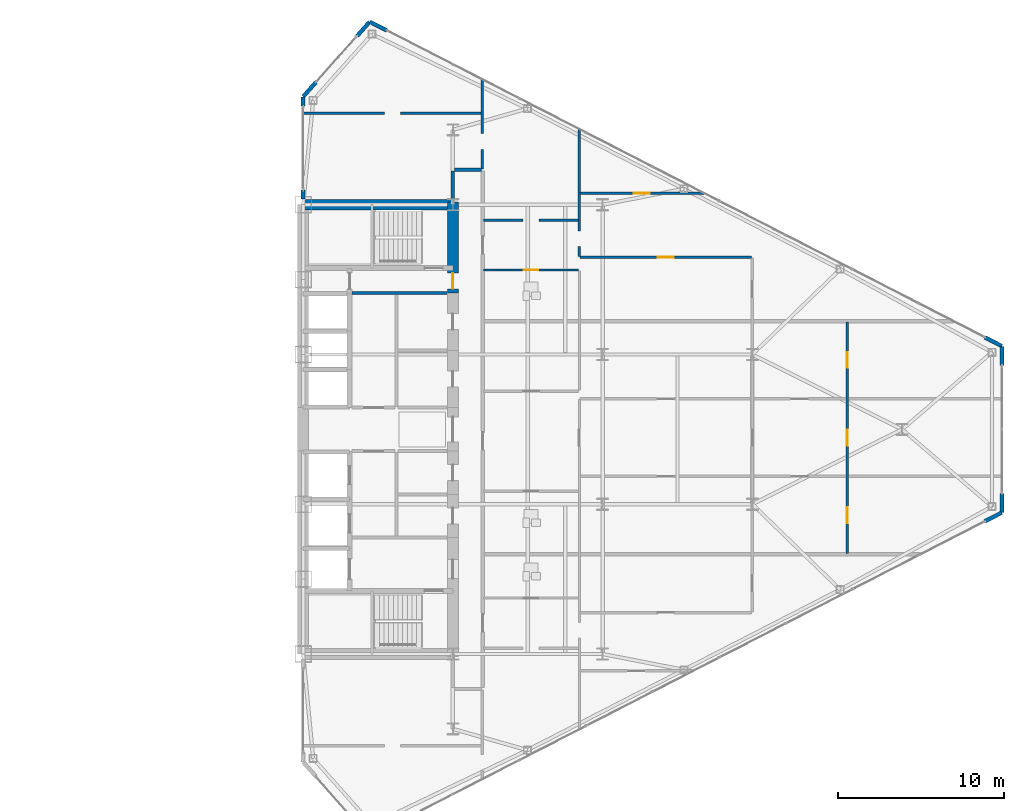
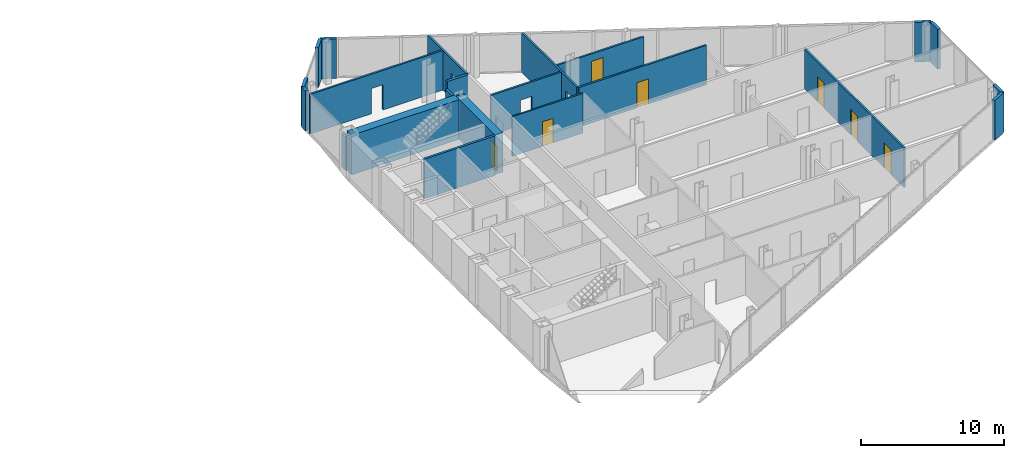
# One storey, part 21 of 24: 22 walls, 7 doors, 11 openings.
"""IFC4 building model written with IfcOpenShell, lengths in metres."""

import ifcopenshell
import ifcopenshell.guid

model = None  # the IFC model being written
_history = None  # IfcOwnerHistory: only IFC2X3 demands one
_inside = {}  # id of a spatial element -> (the spatial element, [elements in it])
_under = {}  # id of a project, library or spatial element -> (it, [spatial elements below it])
_declared = {}  # id of a project -> (the project, [libraries it declares])
_typed = {}  # id of a type object -> (the type object, [elements of that type])
_made_of = {}  # id of a material, layer set ... -> (it, [elements and type objects made of it])


def new_model(schema):
    """Start an empty IFC model of exactly this schema.

    Asked for "IFC4X3", IfcOpenShell would pick the latest addendum, in which some entities
    have other attributes; the version numbers below select the first issue.
    IFC2X3 requires an IfcOwnerHistory on every rooted entity: one is made here for all.
    """
    global model, _history
    if schema == "IFC4X3":
        model = ifcopenshell.file(schema_version=(4, 3, 0, 0))
    else:
        model = ifcopenshell.file(schema=schema)
    _inside.clear()
    _under.clear()
    _declared.clear()
    _typed.clear()
    _made_of.clear()
    _history = None
    if model.schema == "IFC2X3":
        org = make("IfcOrganization", Name="unknown")
        user = make(
            "IfcPersonAndOrganization",
            ThePerson=make("IfcPerson", FamilyName="unknown"),
            TheOrganization=org,
        )
        app = make(
            "IfcApplication",
            ApplicationDeveloper=org,
            Version="unknown",
            ApplicationFullName="unknown",
            ApplicationIdentifier="unknown",
        )
        _history = make(
            "IfcOwnerHistory",
            OwningUser=user,
            OwningApplication=app,
            ChangeAction="ADDED",
            CreationDate=0,
        )
    return model


def make(cls, **values):
    """One entity of the class cls with the attributes given. An attribute that is None is left unset."""
    return model.create_entity(
        cls, **{name: value for name, value in values.items() if value is not None}
    )


def rooted(cls, **values):
    """An entity with a GlobalId (a new one), such as an element, a storey or a relation."""
    return make(cls, GlobalId=ifcopenshell.guid.new(), OwnerHistory=_history, **values)


def si_unit(unit_type, name, prefix=None):
    """IfcSIUnit, for example si_unit("LENGTHUNIT", "METRE", prefix="MILLI")."""
    return make("IfcSIUnit", UnitType=unit_type, Prefix=prefix, Name=name)


def assignment(units):
    """IfcUnitAssignment: the units of a project."""
    return None if units is None else make("IfcUnitAssignment", Units=units)


def point(xyz):
    """IfcCartesianPoint."""
    return None if xyz is None else make("IfcCartesianPoint", Coordinates=xyz)


def direction(xyz):
    """IfcDirection."""
    return None if xyz is None else make("IfcDirection", DirectionRatios=xyz)


def frame(location, z_axis=None, x_axis=None):
    """IfcAxis2Placement3D, a coordinate frame: its origin and axes. An axis left out is left unset."""
    return make(
        "IfcAxis2Placement3D",
        Location=point(location),
        Axis=direction(z_axis),
        RefDirection=direction(x_axis),
    )


def frame_2d(location, x_axis=None):
    """IfcAxis2Placement2D, a coordinate frame in the plane: its origin and x axis."""
    return make(
        "IfcAxis2Placement2D", Location=point(location), RefDirection=direction(x_axis)
    )


def origin():
    """The frame at (0, 0, 0) with its axes left unset."""
    return frame((0.0, 0.0, 0.0))


def place(relative_to, where):
    """IfcLocalPlacement: puts the frame where relative to a parent placement (None: the world)."""
    return make(
        "IfcLocalPlacement", PlacementRelTo=relative_to, RelativePlacement=where
    )


def context(
    kind, dimensions, precision=None, world=None, true_north=None, identifier=None
):
    """IfcGeometricRepresentationContext, for example the 3D "Model" context."""
    return make(
        "IfcGeometricRepresentationContext",
        ContextIdentifier=identifier,
        ContextType=kind,
        CoordinateSpaceDimension=dimensions,
        Precision=precision,
        WorldCoordinateSystem=world,
        TrueNorth=true_north,
    )


def subcontext(parent, identifier, kind, view, scale=None):
    """IfcGeometricRepresentationSubContext, for example "Body" below "Model"."""
    return make(
        "IfcGeometricRepresentationSubContext",
        ContextIdentifier=identifier,
        ContextType=kind,
        ParentContext=parent,
        TargetScale=scale,
        TargetView=view,
    )


def project(units=None, contexts=None):
    """IfcProject with its units and contexts."""
    return rooted(
        "IfcProject",
        Name="project",
        RepresentationContexts=contexts,
        UnitsInContext=assignment(units),
    )


def spatial(cls, under=None, at=None, **own):
    """A site, building, storey or space (cls), placed at a placement, below another one or the project."""
    s = rooted(cls, ObjectPlacement=at, **own)
    if under is not None:
        _under.setdefault(under.id(), (under, []))[1].append(s)
    return s


def profile(cls, at=None, kind="AREA", **sizes):
    """A parametric profile (cls). Its sizes go by their IFC names, for example OverallWidth=200.0."""
    return make(cls, ProfileType=kind, Position=at, **sizes)


def rectangle(**sizes):
    """IfcRectangleProfileDef."""
    return profile("IfcRectangleProfileDef", **sizes)


def extrude(swept, where, along, depth):
    """IfcExtrudedAreaSolid: the profile swept, set in the frame where, extruded along a direction by depth."""
    return make(
        "IfcExtrudedAreaSolid",
        SweptArea=swept,
        Position=where,
        ExtrudedDirection=direction(along),
        Depth=depth,
    )


def shape(context_of_items, identifier, shape_type, items):
    """IfcShapeRepresentation: the items that make up one representation, for example the "Body"."""
    return make(
        "IfcShapeRepresentation",
        ContextOfItems=context_of_items,
        RepresentationIdentifier=identifier,
        RepresentationType=shape_type,
        Items=items,
    )


def source(mapping_origin, context_of_items, identifier, shape_type, items):
    """IfcRepresentationMap: a shape defined once, which mapped items show again and again."""
    return make(
        "IfcRepresentationMap",
        MappingOrigin=mapping_origin,
        MappedRepresentation=shape(context_of_items, identifier, shape_type, items),
    )


def transform(
    local_origin,
    x_axis=None,
    y_axis=None,
    z_axis=None,
    scale=None,
    scale2=None,
    scale3=None,
    uniform=True,
):
    """IfcCartesianTransformationOperator3D, or its non-uniform kind. x_axis, y_axis, z_axis: its Axis1, 2, 3."""
    if uniform:
        return make(
            "IfcCartesianTransformationOperator3D",
            Axis1=direction(x_axis),
            Axis2=direction(y_axis),
            LocalOrigin=point(local_origin),
            Scale=scale,
            Axis3=direction(z_axis),
        )
    return make(
        "IfcCartesianTransformationOperator3DnonUniform",
        Axis1=direction(x_axis),
        Axis2=direction(y_axis),
        LocalOrigin=point(local_origin),
        Scale=scale,
        Axis3=direction(z_axis),
        Scale2=scale2,
        Scale3=scale3,
    )


def mapped(mapping_source, mapping_target):
    """IfcMappedItem: shows the shape of a source again, moved by a transform."""
    return make(
        "IfcMappedItem", MappingSource=mapping_source, MappingTarget=mapping_target
    )


def material(Name=None, Category=None):
    """IfcMaterial."""
    return make("IfcMaterial", Name=Name, Category=Category)


def layer(
    of_material, thickness, ventilated=None, Name=None, Category=None, Priority=None
):
    """IfcMaterialLayer: one layer of a wall or slab, of a material (None: an air gap)."""
    return make(
        "IfcMaterialLayer",
        Material=of_material,
        LayerThickness=thickness,
        IsVentilated=ventilated,
        Name=Name,
        Category=Category,
        Priority=Priority,
    )


def layer_set(layers, Name=None):
    """IfcMaterialLayerSet."""
    return make("IfcMaterialLayerSet", MaterialLayers=layers, LayerSetName=Name)


def made_of(thing, what):
    """Note that an element or type object is made of a material, layer set ...; save() writes the relation."""
    if what is not None:
        _made_of.setdefault(what.id(), (what, []))[1].append(thing)
    return thing


def type_object(cls, material=None, **own):
    """A type object (cls), such as IfcWallType, which elements share."""
    return made_of(rooted(cls, **own), material)


def type_shapes(of_type, sources):
    """Give a type object the sources (RepresentationMaps) that its elements show as mapped items."""
    of_type.RepresentationMaps = sources


def element(
    cls,
    number,
    at=None,
    inside=None,
    cuts=None,
    type_object=None,
    material=None,
    context=None,
    identifier="Body",
    shape_type=None,
    held_by="IfcProductDefinitionShape",
    body=None,
    shapes=None,
    **own,
):
    """One element of the class cls, such as IfcWall. Its Tag is "e" and its number.

    at: its placement. inside: the storey or other place that contains it. cuts: it is an
    opening in that element (IfcRelVoidsElement). A single representation is given by context,
    identifier, shape_type and body (its items); several are given by shapes. held_by: the class
    of the entity that holds the representations. save() writes the other relations.
    """
    e = rooted(cls, Tag="e%d" % number, ObjectPlacement=at, **own)
    if body is not None:
        shapes = [shape(context, identifier, shape_type, body)]
    if shapes is not None:
        e.Representation = make(held_by, Representations=shapes)
    if inside is not None:
        _inside.setdefault(inside.id(), (inside, []))[1].append(e)
    if cuts is not None:
        rooted(
            "IfcRelVoidsElement", RelatingBuildingElement=cuts, RelatedOpeningElement=e
        )
    if type_object is not None:
        _typed.setdefault(type_object.id(), (type_object, []))[1].append(e)
    return made_of(e, material)


def fill(opening, filler):
    """IfcRelFillsElement: the door or window that sits in an opening."""
    return rooted(
        "IfcRelFillsElement",
        RelatingOpeningElement=opening,
        RelatedBuildingElement=filler,
    )


def aggregate(whole, parts):
    """IfcRelAggregates: a whole, such as a stair, and the parts it consists of."""
    return rooted("IfcRelAggregates", RelatingObject=whole, RelatedObjects=parts)


def save(model, path):
    """Write the relations noted so far, then the file.

    IfcRelAggregates (storeys below a building ...), IfcRelContainedInSpatialStructure (elements
    in a storey), IfcRelDefinesByType, IfcRelAssociatesMaterial and IfcRelDeclares: one each for
    every whole, place, type object, material and project.
    """
    for whole, parts in _under.values():
        aggregate(whole, parts)
    for where, things in _inside.values():
        rooted(
            "IfcRelContainedInSpatialStructure",
            RelatedElements=things,
            RelatingStructure=where,
        )
    for kind, things in _typed.values():
        rooted("IfcRelDefinesByType", RelatedObjects=things, RelatingType=kind)
    for what, things in _made_of.values():
        rooted("IfcRelAssociatesMaterial", RelatedObjects=things, RelatingMaterial=what)
    for by, libraries in _declared.values():
        rooted("IfcRelDeclares", RelatingContext=by, RelatedDefinitions=libraries)
    model.write(path)


model = new_model("IFC4")

# Units and contexts
model_context = context("Model", 3, precision=1e-05, world=origin(), true_north=direction((0.0, 1.0)))
body_context = subcontext(model_context, "Body", "Model", "MODEL_VIEW")
ifc_project = project(units=[si_unit("LENGTHUNIT", "METRE"), si_unit("AREAUNIT", "SQUARE_METRE"), si_unit("VOLUMEUNIT", "CUBIC_METRE"), si_unit("PLANEANGLEUNIT", "RADIAN"), si_unit("MASSUNIT", "GRAM", prefix="KILO")], contexts=[model_context])

# Site, building, storey
site_placement = place(None, origin())
site = spatial("IfcSite", under=ifc_project, at=site_placement, CompositionType="ELEMENT")
building_placement = place(site_placement, origin())
building = spatial("IfcBuilding", under=site, at=building_placement, Name="Seokmaru Belvedere", CompositionType="ELEMENT")
storey_placement = place(building_placement, frame((0.0, 0.0, 114.0)))
storey = spatial("IfcBuildingStorey", under=building, at=storey_placement, Name="L30", CompositionType="ELEMENT", Elevation=114.0)

# Wall, opening, door
ifc_material_1 = material(Name="Fire-Rated Gypsum Shaftwall")
ifc_layer_1 = layer(ifc_material_1, 0.14990234375)
ifc_layer_set_1 = layer_set([ifc_layer_1], Name="Fire-Rated Gypsum Shaftwall")
wall_type_1 = type_object("IfcWallType", Name="Apartment Fire-Acoustic Room Partition 150", PredefinedType="PARTITIONING", material=ifc_layer_set_1)
wall_1_placement = place(storey_placement, frame((44.14990234375, 10.35009765625, 0.0), z_axis=(0.0, 0.0, 1.0), x_axis=(1.0, 0.0, 0.0)))
wall_1 = element("IfcWall", 1, at=wall_1_placement, inside=storey, type_object=wall_type_1, Name="L30 Interior Partition 028", PredefinedType="PARTITIONING", context=body_context, shape_type="SweptSolid", body=[
    extrude(rectangle(XDim=10.300048828125, YDim=0.14990234375, at=frame_2d((5.14990234375, 0.0))), origin(), (0.0, 0.0, 1.0), 3.3798828125),
])
opening_1_placement = place(wall_1_placement, frame((4.675048828125, 0.0, 0.0)))
opening_1 = element("IfcOpeningElement", 2, at=opening_1_placement, cuts=wall_1, Name="Opening D05", PredefinedType="OPENING", context=body_context, shape_type="SweptSolid", body=[
    extrude(rectangle(XDim=0.949951171875, YDim=2.14990234375, at=frame_2d((0.47509765625, 1.074951171875))), frame((0.0, 0.0849609375, 0.0), z_axis=(0.0, -1.0, 0.0), x_axis=(1.0, 0.0, 0.0)), (0.0, 0.0, 1.0), 0.169921875),
])
ifc_material_2 = material(Name="Engineered White Oak Timber", Category="wood")
door_type_1 = type_object("IfcDoorType", Name="Apartment Interior Fire-Rated Oak Door 950x2150", OperationType="NOTDEFINED", PredefinedType="DOOR", material=ifc_material_2)
shared_shape_1 = source(origin(), body_context, "Body", "SweptSolid", [
    extrude(rectangle(XDim=0.949951171875, YDim=2.14990234375, at=frame_2d((0.47509765625, 1.074951171875))), frame((0.0, 0.02490234375, 0.0), z_axis=(0.0, -1.0, 0.0), x_axis=(1.0, 0.0, 0.0)), (0.0, 0.0, 1.0), 0.050048828125),
])
type_shapes(door_type_1, [shared_shape_1])
door_1_placement = place(opening_1_placement, origin())
door_1 = element("IfcDoor", 3, at=door_1_placement, inside=storey, type_object=door_type_1, Name="L30 Interior Door 061", OperationType="SINGLE_SWING_RIGHT", OverallHeight=2.14990234375, OverallWidth=0.949951171875, PredefinedType="DOOR", context=body_context, shape_type="MappedRepresentation", body=[
    mapped(shared_shape_1, transform((0.0, 0.0, 0.0), scale=1.0)),
])
fill(opening_1, door_1)

# Wall, opening
wall_2_placement = place(storey_placement, frame((38.35009765625, 12.580078125, 0.0), z_axis=(0.0, 0.0, 1.0), x_axis=(1.0, 0.0, 0.0)))
wall_2 = element("IfcWall", 4, at=wall_2_placement, inside=storey, type_object=wall_type_1, Name="L30 Interior Partition 030", PredefinedType="PARTITIONING", context=body_context, shape_type="SweptSolid", body=[
    extrude(rectangle(XDim=5.699951171875, YDim=0.14990234375, at=frame_2d((2.85009765625, 0.0))), origin(), (0.0, 0.0, 1.0), 3.3798828125),
])
opening_2_placement = place(wall_2_placement, frame((2.375, 0.0, 0.0)))
element("IfcOpeningElement", 5, at=opening_2_placement, cuts=wall_2, Name="L30 Cased Opening 059", PredefinedType="OPENING", context=body_context, shape_type="SweptSolid", body=[
    extrude(rectangle(XDim=0.949951171875, YDim=2.14990234375, at=frame_2d((0.47509765625, 1.074951171875))), frame((0.0, 0.0849609375, 0.0), z_axis=(0.0, -1.0, 0.0), x_axis=(1.0, 0.0, 0.0)), (0.0, 0.0, 1.0), 0.169921875),
])

# Wall, opening, door
wall_3_placement = place(storey_placement, frame((44.14990234375, 14.18994140625, 0.0), z_axis=(0.0, 0.0, 1.0), x_axis=(1.0, 0.0, 0.0)))
wall_3 = element("IfcWall", 6, at=wall_3_placement, inside=storey, type_object=wall_type_1, Name="L30 Interior Partition 031", PredefinedType="PARTITIONING", context=body_context, shape_type="SweptSolid", body=[
    extrude(rectangle(XDim=7.47705078125, YDim=0.14990234375, at=frame_2d((3.738525390625, 0.0))), origin(), (0.0, 0.0, 1.0), 2.780029296875),
])
opening_3_placement = place(wall_3_placement, frame((3.22119140625, 0.0, 0.0)))
opening_3 = element("IfcOpeningElement", 7, at=opening_3_placement, cuts=wall_3, Name="Opening D05", PredefinedType="OPENING", context=body_context, shape_type="SweptSolid", body=[
    extrude(rectangle(XDim=0.949951171875, YDim=2.14990234375, at=frame_2d((0.47509765625, 1.074951171875))), frame((0.0, 0.0849609375, 0.0), z_axis=(0.0, -1.0, 0.0), x_axis=(1.0, 0.0, 0.0)), (0.0, 0.0, 1.0), 0.169921875),
])
door_2_placement = place(opening_3_placement, origin())
door_2 = element("IfcDoor", 8, at=door_2_placement, inside=storey, type_object=door_type_1, Name="L30 Interior Door 062", OperationType="SINGLE_SWING_LEFT", OverallHeight=2.14990234375, OverallWidth=0.949951171875, PredefinedType="DOOR", context=body_context, shape_type="MappedRepresentation", body=[
    mapped(shared_shape_1, transform((0.0, 0.0, 0.0), scale=1.0)),
])
fill(opening_3, door_2)

# Wall, opening
wall_4_placement = place(storey_placement, frame((27.465087890625, 19.0, 0.0), z_axis=(0.0, 0.0, 1.0), x_axis=(1.0, 0.0, 0.0)))
wall_4 = element("IfcWall", 9, at=wall_4_placement, inside=storey, type_object=wall_type_1, Name="L30 Interior Partition 036", PredefinedType="PARTITIONING", context=body_context, shape_type="SweptSolid", body=[
    extrude(rectangle(XDim=10.73486328125, YDim=0.14990234375, at=frame_2d((5.367431640625, 0.0))), origin(), (0.0, 0.0, 1.0), 3.3798828125),
])
opening_4_placement = place(wall_4_placement, frame((4.93505859375, 0.0, 0.0)))
element("IfcOpeningElement", 10, at=opening_4_placement, cuts=wall_4, Name="L30 Cased Opening 064", PredefinedType="OPENING", context=body_context, shape_type="SweptSolid", body=[
    extrude(rectangle(XDim=0.949951171875, YDim=2.14990234375, at=frame_2d((0.47509765625, 1.074951171875))), frame((0.0, 0.0849609375, 0.0), z_axis=(0.0, -1.0, 0.0), x_axis=(1.0, 0.0, 0.0)), (0.0, 0.0, 1.0), 0.169921875),
])

wall_5_placement = place(storey_placement, frame((38.25, 15.64990234375, 0.0), z_axis=(0.0, 0.0, 1.0), x_axis=(0.0, 1.0, 0.0)))
wall_5 = element("IfcWall", 11, at=wall_5_placement, inside=storey, type_object=wall_type_1, Name="L30 Interior Partition 050", PredefinedType="PARTITIONING", context=body_context, shape_type="SweptSolid", body=[
    extrude(rectangle(XDim=5.421142578125, YDim=0.14990234375, at=frame_2d((2.71044921875, 0.0))), origin(), (0.0, 0.0, 1.0), 3.3798828125),
])
opening_5_placement = place(wall_5_placement, frame((1.175048828125, 0.0, 0.0)))
element("IfcOpeningElement", 12, at=opening_5_placement, cuts=wall_5, Name="L30 Cased Opening 063", PredefinedType="OPENING", context=body_context, shape_type="SweptSolid", body=[
    extrude(rectangle(XDim=0.949951171875, YDim=2.14990234375, at=frame_2d((0.47509765625, 1.074951171875))), frame((0.0, 0.0849609375, 0.0), z_axis=(0.0, -1.0, 0.0), x_axis=(1.0, 0.0, 0.0)), (0.0, 0.0, 1.0), 0.169921875),
])

wall_6_placement = place(storey_placement, frame((44.10009765625, 10.39501953125, 0.0), z_axis=(0.0, 0.0, 1.0), x_axis=(0.0, 1.0, 0.0)))
wall_6 = element("IfcWall", 13, at=wall_6_placement, inside=storey, type_object=wall_type_1, Name="L30 Interior Partition 054", PredefinedType="PARTITIONING", context=body_context, shape_type="SweptSolid", body=[
    extrude(rectangle(XDim=7.674072265625, YDim=0.14990234375, at=frame_2d((3.8369140625, 0.0))), origin(), (0.0, 0.0, 1.0), 3.3798828125),
])
opening_6_placement = place(wall_6_placement, frame((0.591064453125, 0.0, 0.0)))
element("IfcOpeningElement", 14, at=opening_6_placement, cuts=wall_6, Name="L30 Cased Opening 060", PredefinedType="OPENING", context=body_context, shape_type="SweptSolid", body=[
    extrude(rectangle(XDim=0.949951171875, YDim=2.14990234375, at=frame_2d((0.47509765625, 1.074951171875))), frame((0.0, 0.0849609375, 0.0), z_axis=(0.0, -1.0, 0.0), x_axis=(1.0, 0.0, 0.0)), (0.0, 0.0, 1.0), 0.169921875),
])

# Wall, openings, doors
wall_7_placement = place(storey_placement, frame((60.199951171875, -7.449951171875, 0.0), z_axis=(0.0, 0.0, 1.0), x_axis=(0.0, 1.0, 0.0)))
wall_7 = element("IfcWall", 15, at=wall_7_placement, inside=storey, type_object=wall_type_1, Name="L30 Interior Partition 056", PredefinedType="PARTITIONING", context=body_context, shape_type="SweptSolid", body=[
    extrude(rectangle(XDim=13.89990234375, YDim=0.14990234375, at=frame_2d((6.949951171875, 0.0))), origin(), (0.0, 0.0, 1.0), 3.3798828125),
])
opening_7_placement = place(wall_7_placement, frame((1.808349609375, 0.0, 0.0)))
opening_7 = element("IfcOpeningElement", 16, at=opening_7_placement, cuts=wall_7, Name="Opening D05", PredefinedType="OPENING", context=body_context, shape_type="SweptSolid", body=[
    extrude(rectangle(XDim=0.949951171875, YDim=2.14990234375, at=frame_2d((0.47509765625, 1.074951171875))), frame((0.0, 0.0849609375, 0.0), z_axis=(0.0, -1.0, 0.0), x_axis=(1.0, 0.0, 0.0)), (0.0, 0.0, 1.0), 0.169921875),
])
opening_8_placement = place(wall_7_placement, frame((6.47509765625, 0.0, 0.0)))
opening_8 = element("IfcOpeningElement", 17, at=opening_8_placement, cuts=wall_7, Name="Opening D05", PredefinedType="OPENING", context=body_context, shape_type="SweptSolid", body=[
    extrude(rectangle(XDim=0.949951171875, YDim=2.14990234375, at=frame_2d((0.47509765625, 1.074951171875))), frame((0.0, 0.0849609375, 0.0), z_axis=(0.0, -1.0, 0.0), x_axis=(1.0, 0.0, 0.0)), (0.0, 0.0, 1.0), 0.169921875),
])
opening_9_placement = place(wall_7_placement, frame((11.1416015625, 0.0, 0.0)))
opening_9 = element("IfcOpeningElement", 18, at=opening_9_placement, cuts=wall_7, Name="Opening D05", PredefinedType="OPENING", context=body_context, shape_type="SweptSolid", body=[
    extrude(rectangle(XDim=0.949951171875, YDim=2.14990234375, at=frame_2d((0.47509765625, 1.074951171875))), frame((0.0, 0.0849609375, 0.0), z_axis=(0.0, -1.0, 0.0), x_axis=(1.0, 0.0, 0.0)), (0.0, 0.0, 1.0), 0.169921875),
])
door_3_placement = place(opening_7_placement, origin())
door_3 = element("IfcDoor", 19, at=door_3_placement, inside=storey, type_object=door_type_1, Name="L30 Interior Door 053", OperationType="SINGLE_SWING_LEFT", OverallHeight=2.14990234375, OverallWidth=0.949951171875, PredefinedType="DOOR", context=body_context, shape_type="MappedRepresentation", body=[
    mapped(shared_shape_1, transform((0.0, 0.0, 0.0), scale=1.0)),
])
fill(opening_7, door_3)
door_4_placement = place(opening_8_placement, origin())
door_4 = element("IfcDoor", 20, at=door_4_placement, inside=storey, type_object=door_type_1, Name="L30 Interior Door 054", OperationType="SINGLE_SWING_LEFT", OverallHeight=2.14990234375, OverallWidth=0.949951171875, PredefinedType="DOOR", context=body_context, shape_type="MappedRepresentation", body=[
    mapped(shared_shape_1, transform((0.0, 0.0, 0.0), scale=1.0)),
])
fill(opening_8, door_4)
door_5_placement = place(opening_9_placement, origin())
door_5 = element("IfcDoor", 21, at=door_5_placement, inside=storey, type_object=door_type_1, Name="L30 Interior Door 056", OperationType="SINGLE_SWING_LEFT", OverallHeight=2.14990234375, OverallWidth=0.949951171875, PredefinedType="DOOR", context=body_context, shape_type="MappedRepresentation", body=[
    mapped(shared_shape_1, transform((0.0, 0.0, 0.0), scale=1.0)),
])
fill(opening_9, door_5)

# Walls
ifc_layer_2 = layer(ifc_material_1, 0.179931640625)
ifc_layer_set_2 = layer_set([ifc_layer_2], Name="Fire-Rated Gypsum Shaftwall")
wall_type_2 = type_object("IfcWallType", Name="Core Service Fire Partition 180", PredefinedType="PARTITIONING", material=ifc_layer_set_2)
wall_8_placement = place(storey_placement, frame((30.449951171875, 8.199951171875, 0.0), z_axis=(0.0, 0.0, 1.0), x_axis=(1.0, 0.0, 0.0)))
element("IfcWall", 22, at=wall_8_placement, inside=storey, type_object=wall_type_2, Name="L30 East Smokeproof Vestibule Partition", PredefinedType="PARTITIONING", context=body_context, shape_type="SweptSolid", body=[
    extrude(rectangle(XDim=5.699951171875, YDim=0.179931640625, at=frame_2d((2.85009765625, 0.0))), origin(), (0.0, 0.0, 1.0), 3.3798828125),
])
ifc_layer_3 = layer(ifc_material_1, 0.199951171875)
ifc_layer_set_3 = layer_set([ifc_layer_3], Name="Fire-Rated Gypsum Shaftwall")
wall_type_3 = type_object("IfcWallType", Name="Inter-Tenancy Fire Compartment Partition 200", PredefinedType="PARTITIONING", material=ifc_layer_set_3)
wall_9_placement = place(storey_placement, frame((36.5849609375, 15.60009765625, 0.0), z_axis=(0.0, 0.0, 1.0), x_axis=(1.0, 0.0, 0.0)))
element("IfcWall", 23, at=wall_9_placement, inside=storey, type_object=wall_type_3, Name="L30 Interior Partition 034", PredefinedType="PARTITIONING", context=body_context, shape_type="SweptSolid", body=[
    extrude(rectangle(XDim=1.630126953125, YDim=0.199951171875, at=frame_2d((0.81494140625, 0.0))), origin(), (0.0, 0.0, 1.0), 3.3798828125),
])
wall_10_placement = place(storey_placement, frame((36.5, 13.830078125, 0.0), z_axis=(0.0, 0.0, 1.0), x_axis=(0.0, 1.0, 0.0)))
element("IfcWall", 24, at=wall_10_placement, inside=storey, type_object=wall_type_3, Name="L30 Interior Partition 048", PredefinedType="PARTITIONING", context=body_context, shape_type="SweptSolid", body=[
    extrude(rectangle(XDim=1.684814453125, YDim=0.199951171875, at=frame_2d((0.84228515625, 0.0))), origin(), (0.0, 0.0, 1.0), 2.780029296875),
])
ifc_material_3 = material(Name="Concrete C60 (60 MPa)", Category="concrete")
ifc_layer_4 = layer(ifc_material_3, 0.64990234375)
ifc_layer_set_4 = layer_set([ifc_layer_4], Name="Concrete C60 (60 MPa)")
wall_type_4 = type_object("IfcWallType", Name="Mid-Low Reinforced Concrete Core Wall 650", PredefinedType="SHEAR", material=ifc_layer_set_4)
wall_11_placement = place(storey_placement, frame((27.5, 13.5, 0.0), z_axis=(0.0, 0.0, 1.0), x_axis=(1.0, 0.0, 0.0)))
element("IfcWall", 25, at=wall_11_placement, inside=storey, type_object=wall_type_4, Name="L30 East North Core Wall", PredefinedType="SHEAR", context=body_context, shape_type="SweptSolid", body=[
    extrude(rectangle(XDim=9.0, YDim=0.64990234375, at=frame_2d((4.5, 0.0))), origin(), (0.0, 0.0, 1.0), 3.3798828125),
])

# Wall, opening, door
wall_12_placement = place(storey_placement, frame((36.5, 8.199951171875, 0.0), z_axis=(0.0, 0.0, 1.0), x_axis=(0.0, 1.0, 0.0)))
wall_12 = element("IfcWall", 26, at=wall_12_placement, inside=storey, type_object=wall_type_4, Name="L30 East West Core Wall VST", PredefinedType="SHEAR", context=body_context, shape_type="SweptSolid", body=[
    extrude(rectangle(XDim=5.449951171875, YDim=0.64990234375, at=frame_2d((2.72509765625, 0.0))), origin(), (0.0, 0.0, 1.0), 3.3798828125),
])
opening_10_placement = place(wall_12_placement, frame((0.2451171875, 0.0, 0.0)))
opening_10 = element("IfcOpeningElement", 27, at=opening_10_placement, cuts=wall_12, Name="Opening D04", PredefinedType="OPENING", context=body_context, shape_type="SweptSolid", body=[
    extrude(rectangle(XDim=0.949951171875, YDim=2.14990234375, at=frame_2d((0.47509765625, 1.074951171875))), frame((0.0, 0.3349609375, 0.0), z_axis=(0.0, -1.0, 0.0), x_axis=(1.0, 0.0, 0.0)), (0.0, 0.0, 1.0), 0.669921875),
])
ifc_material_4 = material(Name="Fire-Rated Steel Leaf", Category="steel")
door_type_2 = type_object("IfcDoorType", Name="Core Service Room Fire Door 950x2150", OperationType="NOTDEFINED", PredefinedType="DOOR", material=ifc_material_4)
shared_shape_2 = source(origin(), body_context, "Body", "SweptSolid", [
    extrude(rectangle(XDim=0.949951171875, YDim=2.14990234375, at=frame_2d((0.47509765625, 1.074951171875))), frame((0.0, 0.02490234375, 0.0), z_axis=(0.0, -1.0, 0.0), x_axis=(1.0, 0.0, 0.0)), (0.0, 0.0, 1.0), 0.050048828125),
])
type_shapes(door_type_2, [shared_shape_2])
door_6_placement = place(opening_10_placement, origin())
door_6 = element("IfcDoor", 28, at=door_6_placement, inside=storey, type_object=door_type_2, Name="L30 East Smokeproof Vestibule Door", OperationType="SINGLE_SWING_LEFT", OverallHeight=2.14990234375, OverallWidth=0.949951171875, PredefinedType="DOOR", context=body_context, shape_type="MappedRepresentation", body=[
    mapped(shared_shape_2, transform((0.0, 0.0, 0.0), scale=1.0)),
])
fill(opening_10, door_6)

ifc_layer_5 = layer(ifc_material_1, 0.1298828125)
ifc_layer_set_5 = layer_set([ifc_layer_5], Name="Fire-Rated Gypsum Shaftwall")
wall_type_5 = type_object("IfcWallType", Name="Moisture-Resistant Fire-Rated Bathroom Partition 130", PredefinedType="PARTITIONING", material=ifc_layer_set_5)
wall_13_placement = place(storey_placement, frame((38.35009765625, 9.580078125, 0.0), z_axis=(0.0, 0.0, 1.0), x_axis=(1.0, 0.0, 0.0)))
wall_13 = element("IfcWall", 29, at=wall_13_placement, inside=storey, type_object=wall_type_5, Name="L30 Interior Partition 026", PredefinedType="PARTITIONING", context=body_context, shape_type="SweptSolid", body=[
    extrude(rectangle(XDim=5.699951171875, YDim=0.1298828125, at=frame_2d((2.85009765625, 0.0))), origin(), (0.0, 0.0, 1.0), 3.3798828125),
])
opening_11_placement = place(wall_13_placement, frame((2.409912109375, 0.0, 0.0)))
opening_11 = element("IfcOpeningElement", 30, at=opening_11_placement, cuts=wall_13, Name="Opening D06", PredefinedType="OPENING", context=body_context, shape_type="SweptSolid", body=[
    extrude(rectangle(XDim=0.8798828125, YDim=2.10009765625, at=frame_2d((0.43994140625, 1.050048828125))), frame((0.0, 0.074951171875, 0.0), z_axis=(0.0, -1.0, 0.0), x_axis=(1.0, 0.0, 0.0)), (0.0, 0.0, 1.0), 0.14990234375),
])
door_type_3 = type_object("IfcDoorType", Name="Bathroom and Restroom Fire-Rated Door 880x2100", OperationType="NOTDEFINED", PredefinedType="DOOR", material=ifc_material_2)
shared_shape_3 = source(origin(), body_context, "Body", "SweptSolid", [
    extrude(rectangle(XDim=0.8798828125, YDim=2.10009765625, at=frame_2d((0.43994140625, 1.050048828125))), frame((0.0, 0.02490234375, 0.0), z_axis=(0.0, -1.0, 0.0), x_axis=(1.0, 0.0, 0.0)), (0.0, 0.0, 1.0), 0.050048828125),
])
type_shapes(door_type_3, [shared_shape_3])
door_7_placement = place(opening_11_placement, origin())
door_7 = element("IfcDoor", 31, at=door_7_placement, inside=storey, type_object=door_type_3, Name="L30 Interior Door 058", OperationType="SINGLE_SWING_RIGHT", OverallHeight=2.10009765625, OverallWidth=0.8798828125, PredefinedType="DOOR", context=body_context, shape_type="MappedRepresentation", body=[
    mapped(shared_shape_3, transform((0.0, 0.0, 0.0), scale=1.0)),
])
fill(opening_11, door_7)

# Walls
ifc_material_5 = material(Name="Anodised Bronze Aluminium", Category="aluminium")
ifc_layer_6 = layer(ifc_material_5, 0.239990234375)
ifc_layer_set_6 = layer_set([ifc_layer_6], Name="Anodised Bronze Aluminium")
wall_type_6 = type_object("IfcWallType", Name="Tower Corner Spandrel Closure Wall 240", PredefinedType="SOLIDWALL", material=ifc_layer_set_6)
wall_14_placement = place(storey_placement, frame((68.476806640625, -5.52490234375, 0.0), z_axis=(0.0, 0.0, 1.0), x_axis=(0.889797395748, 0.456355776255, 0.0)))
element("IfcWall", 32, at=wall_14_placement, inside=storey, type_object=wall_type_6, Name="L30 E Corner Closure Pier 1B", PredefinedType="SOLIDWALL", context=body_context, shape_type="SweptSolid", body=[
    extrude(rectangle(XDim=1.14013671875, YDim=0.239990234375, at=frame_2d((0.570068359375, 0.0))), origin(), (0.0, 0.0, 1.0), 3.3798828125),
])
for number, where, z_axis, x_axis, name in (
    (33, (69.5, -4.989990234375, 0.0), (0.0, 0.0, 1.0), (0.0, 1.0, 0.0), "L30 E Corner Closure Pier 2A"),
    (34, (69.5, 3.85009765625, 0.0), (0.0, 0.0, 1.0), (0.0, 1.0, 0.0), "L30 E Corner Closure Pier 2B"),
):
    element("IfcWall", number, at=place(storey_placement, frame(where, z_axis=z_axis, x_axis=x_axis)), inside=storey, type_object=wall_type_6, Name=name, PredefinedType="SOLIDWALL", context=body_context, shape_type="SweptSolid", body=[
        extrude(rectangle(XDim=1.139892578125, YDim=0.239990234375, at=frame_2d((0.56982421875, 0.0))), origin(), (0.0, 0.0, 1.0), 3.3798828125),
    ])
for number, where, z_axis, x_axis, name in (
    (35, (69.4912109375, 5.004638671875, 0.0), (0.0, 0.0, 1.0), (-0.889797395748, 0.456355776255, 0.0), "L30 E Corner Closure Pier 3A"),
    (36, (32.523193359375, 23.97509765625, 0.0), (0.0, 0.0, 1.0), (-0.889797395748, 0.456355776255, 0.0), "L30 E Corner Closure Pier 3B"),
):
    element("IfcWall", number, at=place(storey_placement, frame(where, z_axis=z_axis, x_axis=x_axis)), inside=storey, type_object=wall_type_6, Name=name, PredefinedType="SOLIDWALL", context=body_context, shape_type="SweptSolid", body=[
        extrude(rectangle(XDim=1.14013671875, YDim=0.239990234375, at=frame_2d((0.570068359375, 0.0))), origin(), (0.0, 0.0, 1.0), 3.3798828125),
    ])
for number, where, z_axis, x_axis, name in (
    (37, (31.493408203125, 24.492431640625, 0.0), (0.0, 0.0, 1.0), (-0.664337252513, -0.747432950119, 0.0), "L30 E Corner Closure Pier 4A"),
    (38, (28.263916015625, 20.859619140625, 0.0), (0.0, 0.0, 1.0), (-0.664337252513, -0.747432950119, 0.0), "L30 E Corner Closure Pier 4B"),
):
    element("IfcWall", number, at=place(storey_placement, frame(where, z_axis=z_axis, x_axis=x_axis)), inside=storey, type_object=wall_type_6, Name=name, PredefinedType="SOLIDWALL", context=body_context, shape_type="SweptSolid", body=[
        extrude(rectangle(XDim=1.139892578125, YDim=0.239990234375, at=frame_2d((0.56982421875, 0.0))), origin(), (0.0, 0.0, 1.0), 3.3798828125),
    ])
wall_15_placement = place(storey_placement, frame((27.5, 13.830078125, 0.0), z_axis=(0.0, 0.0, 1.0), x_axis=(0.0, 1.0, 0.0)))
element("IfcWall", 39, at=wall_15_placement, inside=storey, type_object=wall_type_6, Name="L30 E Spine Closure Pier 2A", PredefinedType="SOLIDWALL", context=body_context, shape_type="SweptSolid", body=[
    extrude(rectangle(XDim=0.5498046875, YDim=0.239990234375, at=frame_2d((0.27490234375, 0.0))), origin(), (0.0, 0.0, 1.0), 2.8798828125),
])
wall_16_placement = place(storey_placement, frame((27.5, 19.429931640625, 0.0), z_axis=(0.0, 0.0, 1.0), x_axis=(0.0, 1.0, 0.0)))
element("IfcWall", 40, at=wall_16_placement, inside=storey, type_object=wall_type_6, Name="L30 E Spine Closure Pier 2B", PredefinedType="SOLIDWALL", context=body_context, shape_type="SweptSolid", body=[
    extrude(rectangle(XDim=0.550048828125, YDim=0.239990234375, at=frame_2d((0.27490234375, 0.0))), origin(), (0.0, 0.0, 1.0), 3.3798828125),
])

save(model, "model.ifc")
